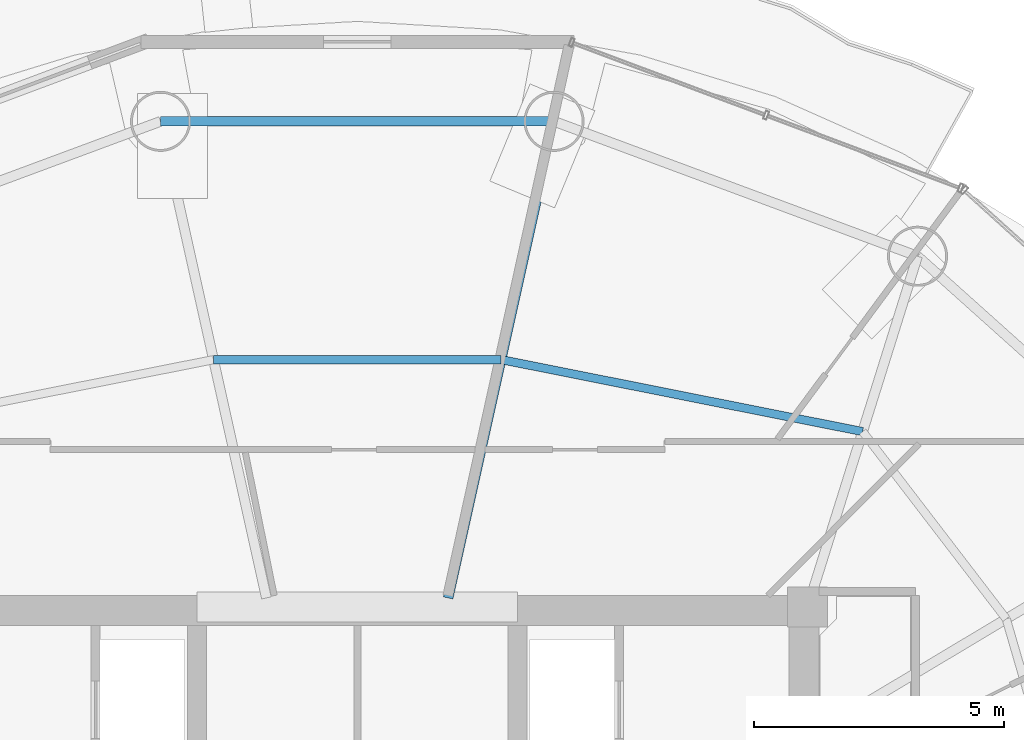
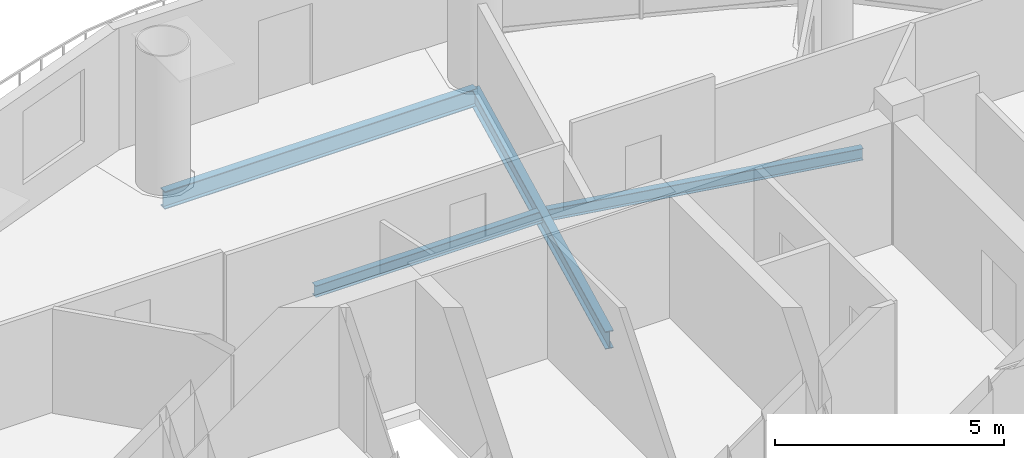
# One storey, part 16 of 26: 4 beams.
"""IFC4 building model written with IfcOpenShell, lengths in metres."""

import ifcopenshell
import ifcopenshell.guid

model = None  # the IFC model being written
_history = None  # IfcOwnerHistory: only IFC2X3 demands one
_inside = {}  # id of a spatial element -> (the spatial element, [elements in it])
_under = {}  # id of a project, library or spatial element -> (it, [spatial elements below it])
_declared = {}  # id of a project -> (the project, [libraries it declares])
_typed = {}  # id of a type object -> (the type object, [elements of that type])
_made_of = {}  # id of a material, layer set ... -> (it, [elements and type objects made of it])


def new_model(schema):
    """Start an empty IFC model of exactly this schema.

    Asked for "IFC4X3", IfcOpenShell would pick the latest addendum, in which some entities
    have other attributes; the version numbers below select the first issue.
    IFC2X3 requires an IfcOwnerHistory on every rooted entity: one is made here for all.
    """
    global model, _history
    if schema == "IFC4X3":
        model = ifcopenshell.file(schema_version=(4, 3, 0, 0))
    else:
        model = ifcopenshell.file(schema=schema)
    _inside.clear()
    _under.clear()
    _declared.clear()
    _typed.clear()
    _made_of.clear()
    _history = None
    if model.schema == "IFC2X3":
        org = make("IfcOrganization", Name="unknown")
        user = make(
            "IfcPersonAndOrganization",
            ThePerson=make("IfcPerson", FamilyName="unknown"),
            TheOrganization=org,
        )
        app = make(
            "IfcApplication",
            ApplicationDeveloper=org,
            Version="unknown",
            ApplicationFullName="unknown",
            ApplicationIdentifier="unknown",
        )
        _history = make(
            "IfcOwnerHistory",
            OwningUser=user,
            OwningApplication=app,
            ChangeAction="ADDED",
            CreationDate=0,
        )
    return model


def make(cls, **values):
    """One entity of the class cls with the attributes given. An attribute that is None is left unset."""
    return model.create_entity(
        cls, **{name: value for name, value in values.items() if value is not None}
    )


def rooted(cls, **values):
    """An entity with a GlobalId (a new one), such as an element, a storey or a relation."""
    return make(cls, GlobalId=ifcopenshell.guid.new(), OwnerHistory=_history, **values)


def si_unit(unit_type, name, prefix=None):
    """IfcSIUnit, for example si_unit("LENGTHUNIT", "METRE", prefix="MILLI")."""
    return make("IfcSIUnit", UnitType=unit_type, Prefix=prefix, Name=name)


def assignment(units):
    """IfcUnitAssignment: the units of a project."""
    return None if units is None else make("IfcUnitAssignment", Units=units)


def point(xyz):
    """IfcCartesianPoint."""
    return None if xyz is None else make("IfcCartesianPoint", Coordinates=xyz)


def direction(xyz):
    """IfcDirection."""
    return None if xyz is None else make("IfcDirection", DirectionRatios=xyz)


def frame(location, z_axis=None, x_axis=None):
    """IfcAxis2Placement3D, a coordinate frame: its origin and axes. An axis left out is left unset."""
    return make(
        "IfcAxis2Placement3D",
        Location=point(location),
        Axis=direction(z_axis),
        RefDirection=direction(x_axis),
    )


def frame_2d(location, x_axis=None):
    """IfcAxis2Placement2D, a coordinate frame in the plane: its origin and x axis."""
    return make(
        "IfcAxis2Placement2D", Location=point(location), RefDirection=direction(x_axis)
    )


def origin():
    """The frame at (0, 0, 0) with its axes left unset."""
    return frame((0.0, 0.0, 0.0))


def origin_2d():
    """The frame at (0, 0) in the plane with its x axis left unset."""
    return frame_2d((0.0, 0.0))


def place(relative_to, where):
    """IfcLocalPlacement: puts the frame where relative to a parent placement (None: the world)."""
    return make(
        "IfcLocalPlacement", PlacementRelTo=relative_to, RelativePlacement=where
    )


def context(
    kind, dimensions, precision=None, world=None, true_north=None, identifier=None
):
    """IfcGeometricRepresentationContext, for example the 3D "Model" context."""
    return make(
        "IfcGeometricRepresentationContext",
        ContextIdentifier=identifier,
        ContextType=kind,
        CoordinateSpaceDimension=dimensions,
        Precision=precision,
        WorldCoordinateSystem=world,
        TrueNorth=true_north,
    )


def subcontext(parent, identifier, kind, view, scale=None):
    """IfcGeometricRepresentationSubContext, for example "Body" below "Model"."""
    return make(
        "IfcGeometricRepresentationSubContext",
        ContextIdentifier=identifier,
        ContextType=kind,
        ParentContext=parent,
        TargetScale=scale,
        TargetView=view,
    )


def project(units=None, contexts=None):
    """IfcProject with its units and contexts."""
    return rooted(
        "IfcProject",
        Name="project",
        RepresentationContexts=contexts,
        UnitsInContext=assignment(units),
    )


def spatial(cls, under=None, at=None, **own):
    """A site, building, storey or space (cls), placed at a placement, below another one or the project."""
    s = rooted(cls, ObjectPlacement=at, **own)
    if under is not None:
        _under.setdefault(under.id(), (under, []))[1].append(s)
    return s


def profile(cls, at=None, kind="AREA", **sizes):
    """A parametric profile (cls). Its sizes go by their IFC names, for example OverallWidth=200.0."""
    return make(cls, ProfileType=kind, Position=at, **sizes)


def i_section(**sizes):
    """IfcIShapeProfileDef."""
    return profile("IfcIShapeProfileDef", **sizes)


def extrude(swept, where, along, depth):
    """IfcExtrudedAreaSolid: the profile swept, set in the frame where, extruded along a direction by depth."""
    return make(
        "IfcExtrudedAreaSolid",
        SweptArea=swept,
        Position=where,
        ExtrudedDirection=direction(along),
        Depth=depth,
    )


def shape(context_of_items, identifier, shape_type, items):
    """IfcShapeRepresentation: the items that make up one representation, for example the "Body"."""
    return make(
        "IfcShapeRepresentation",
        ContextOfItems=context_of_items,
        RepresentationIdentifier=identifier,
        RepresentationType=shape_type,
        Items=items,
    )


def material(Name=None, Category=None):
    """IfcMaterial."""
    return make("IfcMaterial", Name=Name, Category=Category)


def material_profile(
    of_material, cross_section, Name=None, Category=None, Priority=None
):
    """IfcMaterialProfile: a cross section and its material."""
    return make(
        "IfcMaterialProfile",
        Name=Name,
        Material=of_material,
        Profile=cross_section,
        Priority=Priority,
        Category=Category,
    )


def profile_set(profiles, Name=None, composite=None):
    """IfcMaterialProfileSet."""
    return make(
        "IfcMaterialProfileSet",
        Name=Name,
        MaterialProfiles=profiles,
        CompositeProfile=composite,
    )


def made_of(thing, what):
    """Note that an element or type object is made of a material, layer set ...; save() writes the relation."""
    if what is not None:
        _made_of.setdefault(what.id(), (what, []))[1].append(thing)
    return thing


def type_object(cls, material=None, **own):
    """A type object (cls), such as IfcWallType, which elements share."""
    return made_of(rooted(cls, **own), material)


def element(
    cls,
    number,
    at=None,
    inside=None,
    cuts=None,
    type_object=None,
    material=None,
    context=None,
    identifier="Body",
    shape_type=None,
    held_by="IfcProductDefinitionShape",
    body=None,
    shapes=None,
    **own,
):
    """One element of the class cls, such as IfcWall. Its Tag is "e" and its number.

    at: its placement. inside: the storey or other place that contains it. cuts: it is an
    opening in that element (IfcRelVoidsElement). A single representation is given by context,
    identifier, shape_type and body (its items); several are given by shapes. held_by: the class
    of the entity that holds the representations. save() writes the other relations.
    """
    e = rooted(cls, Tag="e%d" % number, ObjectPlacement=at, **own)
    if body is not None:
        shapes = [shape(context, identifier, shape_type, body)]
    if shapes is not None:
        e.Representation = make(held_by, Representations=shapes)
    if inside is not None:
        _inside.setdefault(inside.id(), (inside, []))[1].append(e)
    if cuts is not None:
        rooted(
            "IfcRelVoidsElement", RelatingBuildingElement=cuts, RelatedOpeningElement=e
        )
    if type_object is not None:
        _typed.setdefault(type_object.id(), (type_object, []))[1].append(e)
    return made_of(e, material)


def aggregate(whole, parts):
    """IfcRelAggregates: a whole, such as a stair, and the parts it consists of."""
    return rooted("IfcRelAggregates", RelatingObject=whole, RelatedObjects=parts)


def save(model, path):
    """Write the relations noted so far, then the file.

    IfcRelAggregates (storeys below a building ...), IfcRelContainedInSpatialStructure (elements
    in a storey), IfcRelDefinesByType, IfcRelAssociatesMaterial and IfcRelDeclares: one each for
    every whole, place, type object, material and project.
    """
    for whole, parts in _under.values():
        aggregate(whole, parts)
    for where, things in _inside.values():
        rooted(
            "IfcRelContainedInSpatialStructure",
            RelatedElements=things,
            RelatingStructure=where,
        )
    for kind, things in _typed.values():
        rooted("IfcRelDefinesByType", RelatedObjects=things, RelatingType=kind)
    for what, things in _made_of.values():
        rooted("IfcRelAssociatesMaterial", RelatedObjects=things, RelatingMaterial=what)
    for by, libraries in _declared.values():
        rooted("IfcRelDeclares", RelatingContext=by, RelatedDefinitions=libraries)
    model.write(path)


model = new_model("IFC4")

# Units and contexts
model_context = context("Model", 3, precision=1e-05, world=origin(), true_north=direction((-0.2419218956, 0.970295726276)))
body_context = subcontext(model_context, "Body", "Model", "MODEL_VIEW")
ifc_project = project(units=[si_unit("LENGTHUNIT", "METRE"), si_unit("AREAUNIT", "SQUARE_METRE"), si_unit("VOLUMEUNIT", "CUBIC_METRE"), si_unit("PLANEANGLEUNIT", "RADIAN"), si_unit("MASSUNIT", "GRAM", prefix="KILO")], contexts=[model_context])

# Site, building, storey
site_placement = place(None, origin())
site = spatial("IfcSite", under=ifc_project, at=site_placement, CompositionType="ELEMENT")
building_placement = place(site_placement, origin())
building = spatial("IfcBuilding", under=site, at=building_placement, Name="Cobrevalo Terracotta Tower", CompositionType="ELEMENT")
storey_placement = place(building_placement, frame((0.0, 0.0, 239.300048828125)))
storey = spatial("IfcBuildingStorey", under=building, at=storey_placement, Name="L63", CompositionType="ELEMENT", Elevation=239.300048828125)

# Beams
ifc_material = material(Name="Steel S355", Category="steel")
ifc_material_profile_1 = material_profile(ifc_material, i_section(OverallWidth=0.194091796875, OverallDepth=0.468994140625, WebThickness=0.011474609375, FlangeThickness=0.0205078125, at=origin_2d()), Name="W 460x106")
ifc_profile_set_1 = profile_set([ifc_material_profile_1], Name="Steel S355")
beam_type_1 = type_object("IfcBeamType", Name="Structural Beam W 460x106 (Steel S355)", PredefinedType="BEAM", material=ifc_profile_set_1)
beam_1_placement = place(storey_placement, frame((41.93115234375, 44.503173828125, -0.49951171875), z_axis=(-0.216782061165, -0.976220025382, 0.0), x_axis=(0.976220025382, -0.216782061165, 0.0)))
element("IfcBeam", 1, at=beam_1_placement, inside=storey, type_object=beam_type_1, Name="L63 radial floor girder 04", PredefinedType="BEAM", context=body_context, shape_type="SweptSolid", body=[
    extrude(i_section(OverallWidth=0.194091796875, OverallDepth=0.468994140625, WebThickness=0.011474609375, FlangeThickness=0.0205078125, at=origin_2d()), origin(), (0.0, 0.0, 1.0), 9.755126953125),
])
ifc_material_profile_2 = material_profile(ifc_material, i_section(OverallWidth=0.1650390625, OverallDepth=0.31005859375, WebThickness=0.005859375, FlangeThickness=0.009765625, at=origin_2d()), Name="W 310x38.7")
ifc_profile_set_2 = profile_set([ifc_material_profile_2], Name="Steel S355")
beam_type_2 = type_object("IfcBeamType", Name="Structural Joist W 310x38.7 (Steel S355)", PredefinedType="JOIST", material=ifc_profile_set_2)
beam_2_placement = place(storey_placement, frame((48.097412109375, 38.303955078125, -0.420166015625), z_axis=(-0.980762562197, 0.195204499418, 0.0), x_axis=(-0.195204499418, -0.980762562197, 0.0)))
element("IfcBeam", 2, at=beam_2_placement, inside=storey, type_object=beam_type_2, Name="L63 circumferential secondary floor joist 03", PredefinedType="JOIST", context=body_context, shape_type="SweptSolid", body=[
    extrude(i_section(OverallWidth=0.1650390625, OverallDepth=0.31005859375, WebThickness=0.005859375, FlangeThickness=0.009765625, at=origin_2d()), origin(), (0.0, 0.0, 1.0), 7.365234375),
])
beam_3_placement = place(storey_placement, frame((40.873779296875, 39.74169921875, -0.420166015625), z_axis=(-1.0, 0.0, 0.0), x_axis=(0.0, -1.0, 0.0)))
element("IfcBeam", 3, at=beam_3_placement, inside=storey, type_object=beam_type_2, Name="L63 circumferential secondary floor joist 04", PredefinedType="JOIST", context=body_context, shape_type="SweptSolid", body=[
    extrude(i_section(OverallWidth=0.1650390625, OverallDepth=0.31005859375, WebThickness=0.005859375, FlangeThickness=0.009765625, at=origin_2d()), origin(), (0.0, 0.0, 1.0), 5.74755859375),
])
ifc_material_profile_3 = material_profile(ifc_material, i_section(OverallWidth=0.194091796875, OverallDepth=0.468994140625, WebThickness=0.011474609375, FlangeThickness=0.0205078125, at=origin_2d()), Name="W 460x106")
ifc_profile_set_3 = profile_set([ifc_material_profile_3], Name="Steel S355")
beam_type_3 = type_object("IfcBeamType", Name="Structural Spandrel W 460x106 (Steel S355)", PredefinedType="SPANDREL", material=ifc_profile_set_3)
beam_4_placement = place(storey_placement, frame((41.93115234375, 44.503173828125, -0.49951171875), z_axis=(-1.0, 0.0, 0.0), x_axis=(0.0, -1.0, 0.0)))
element("IfcBeam", 4, at=beam_4_placement, inside=storey, type_object=beam_type_3, Name="L63 perimeter ring spandrel 04", PredefinedType="SPANDREL", context=body_context, shape_type="SweptSolid", body=[
    extrude(i_section(OverallWidth=0.194091796875, OverallDepth=0.468994140625, WebThickness=0.011474609375, FlangeThickness=0.0205078125, at=origin_2d()), origin(), (0.0, 0.0, 1.0), 7.8623046875),
])

save(model, "model.ifc")
